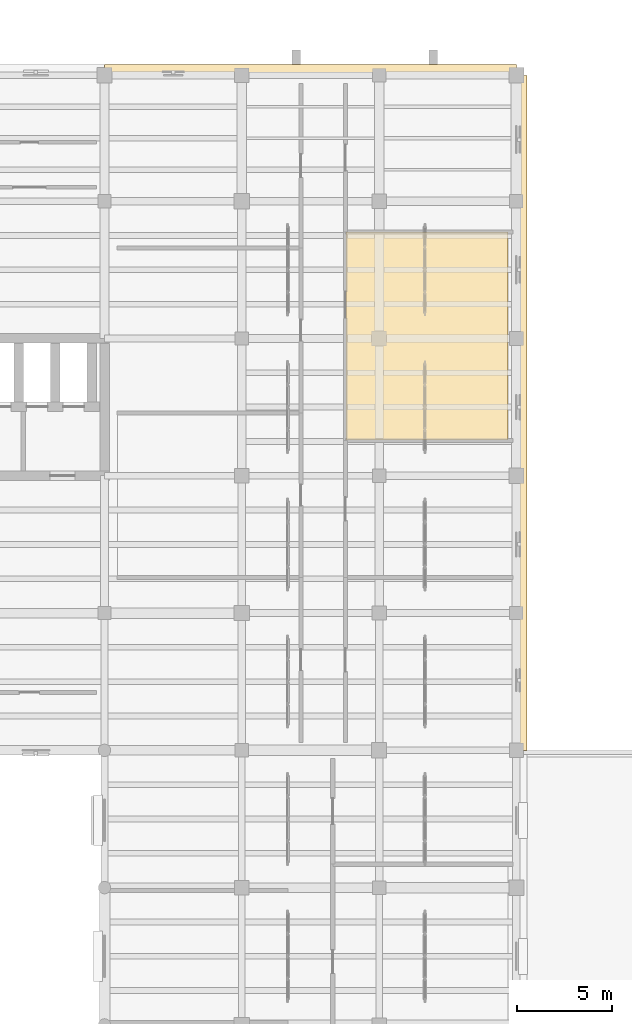
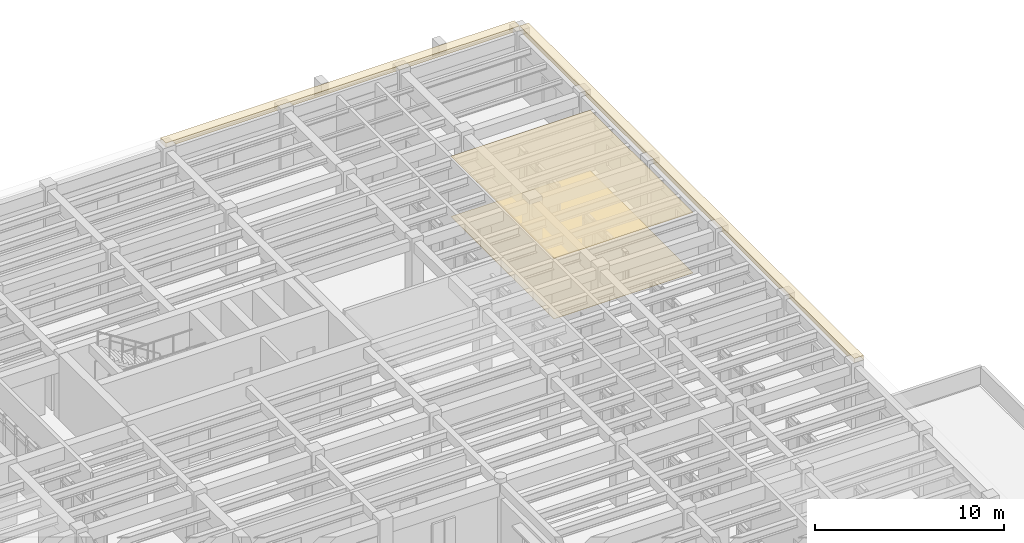
# One storey, part 76 of 76: 4 coverings.
"""IFC4 building model written with IfcOpenShell, lengths in metres."""

from ifc_helpers import new_model, si_unit, direction, frame, origin, origin_2d, place, context, subcontext, project, spatial, polyline, rectangle, outline, extrude, material, layer, layer_set, type_object, element, save


model = new_model("IFC4")

# Units and contexts
model_context = context("Model", 3, precision=1e-05, world=origin(), true_north=direction((0.0, 1.0)))
body_context = subcontext(model_context, "Body", "Model", "MODEL_VIEW")
ifc_project = project(units=[si_unit("LENGTHUNIT", "METRE"), si_unit("AREAUNIT", "SQUARE_METRE"), si_unit("VOLUMEUNIT", "CUBIC_METRE"), si_unit("PLANEANGLEUNIT", "RADIAN"), si_unit("MASSUNIT", "GRAM", prefix="KILO")], contexts=[model_context])

# Site, building, storey
site_placement = place(None, origin())
site = spatial("IfcSite", under=ifc_project, at=site_placement, CompositionType="ELEMENT")
building_placement = place(site_placement, origin())
building = spatial("IfcBuilding", under=site, at=building_placement, Name="Mithqara Police Headquarters", CompositionType="ELEMENT")
storey_placement = place(building_placement, frame((0.0, 0.0, 5.39990234375)))
storey = spatial("IfcBuildingStorey", under=building, at=storey_placement, Name="L01", CompositionType="ELEMENT", Elevation=5.39990234375)

# Coverings
ifc_material_1 = material(Name="Acoustic mineral-fibre ceiling tile", Category="gypsum")
ifc_layer_1 = layer(ifc_material_1, 0.02490234375, Name="Acoustic mineral-fibre ceiling tile")
ifc_layer_set_1 = layer_set([ifc_layer_1], Name="Acoustic mineral-fibre ceiling tile")
covering_type_1 = type_object("IfcCoveringType", Name="ACOUSTIC CEILING TILE", PredefinedType="CEILING", material=ifc_layer_set_1)
covering_1_placement = place(storey_placement, frame((0.0, 0.0, 3.89501953125)))
element("IfcCovering", 1, at=covering_1_placement, inside=storey, type_object=covering_type_1, Name="Patrol Supervisors' Office Acoustic Ceiling", PredefinedType="CEILING", context=body_context, shape_type="SweptSolid", body=[
    extrude(outline(polyline([(157.2548828125, 94.8701171875), (165.760009765625, 94.8701171875), (165.760009765625, 105.77001953125), (157.2548828125, 105.77001953125), (157.2548828125, 94.8701171875)])), origin(), (0.0, 0.0, 1.0), 0.025146484375),
])
ifc_material_2 = material(Name="Limestone ashlar masonry, 45 MPa", Category="masonry")
ifc_layer_2 = layer(ifc_material_2, 0.320068359375, Name="Limestone ashlar masonry, 45 MPa")
ifc_layer_set_2 = layer_set([ifc_layer_2], Name="Limestone ashlar masonry, 45 MPa")
covering_type_2 = type_object("IfcCoveringType", Name="CORNICE LIMESTONE", PredefinedType="CLADDING", material=ifc_layer_set_2)
covering_2_placement = place(storey_placement, frame((166.47998046875, 96.300048828125, 3.919921875), z_axis=(0.0, 0.0, 1.0), x_axis=(0.0, 1.0, 0.0)))
element("IfcCovering", 2, at=covering_2_placement, inside=storey, type_object=covering_type_2, Name="L01 Projecting Ottoman Limestone Eaves Cornice 8", PredefinedType="CLADDING", context=body_context, shape_type="SweptSolid", body=[
    extrude(rectangle(XDim=35.39990234375, YDim=0.56005859375, at=origin_2d()), origin(), (0.0, 0.0, 1.0), 0.280029296875),
])
covering_3_placement = place(storey_placement, frame((155.39990234375, 114.280029296875, 3.919921875), z_axis=(0.0, 0.0, 1.0), x_axis=(1.0, 0.0, 0.0)))
element("IfcCovering", 3, at=covering_3_placement, inside=storey, type_object=covering_type_2, Name="L01 Projecting Ottoman Limestone Eaves Cornice 9", PredefinedType="CLADDING", context=body_context, shape_type="SweptSolid", body=[
    extrude(rectangle(XDim=21.60009765625, YDim=0.56005859375, at=origin_2d()), origin(), (0.0, 0.0, 1.0), 0.280029296875),
])
ifc_material_3 = material(Name="Polished limestone terrazzo flooring", Category="masonry")
ifc_layer_3 = layer(ifc_material_3, 0.02001953125, Name="Polished limestone terrazzo flooring")
ifc_layer_set_3 = layer_set([ifc_layer_3], Name="Polished limestone terrazzo flooring")
covering_type_3 = type_object("IfcCoveringType", Name="TERRAZZO FLOOR FINISH", PredefinedType="FLOORING", material=ifc_layer_set_3)
covering_4_placement = place(storey_placement, origin())
element("IfcCovering", 4, at=covering_4_placement, inside=storey, type_object=covering_type_3, Name="Patrol Supervisors' Office Terrazzo Floor Finish", PredefinedType="FLOORING", context=body_context, shape_type="SweptSolid", body=[
    extrude(outline(polyline([(157.2548828125, 94.8701171875), (165.760009765625, 94.8701171875), (165.760009765625, 105.77001953125), (157.2548828125, 105.77001953125), (157.2548828125, 94.8701171875)])), origin(), (0.0, 0.0, 1.0), 0.02001953125),
])

save(model, "model.ifc")
